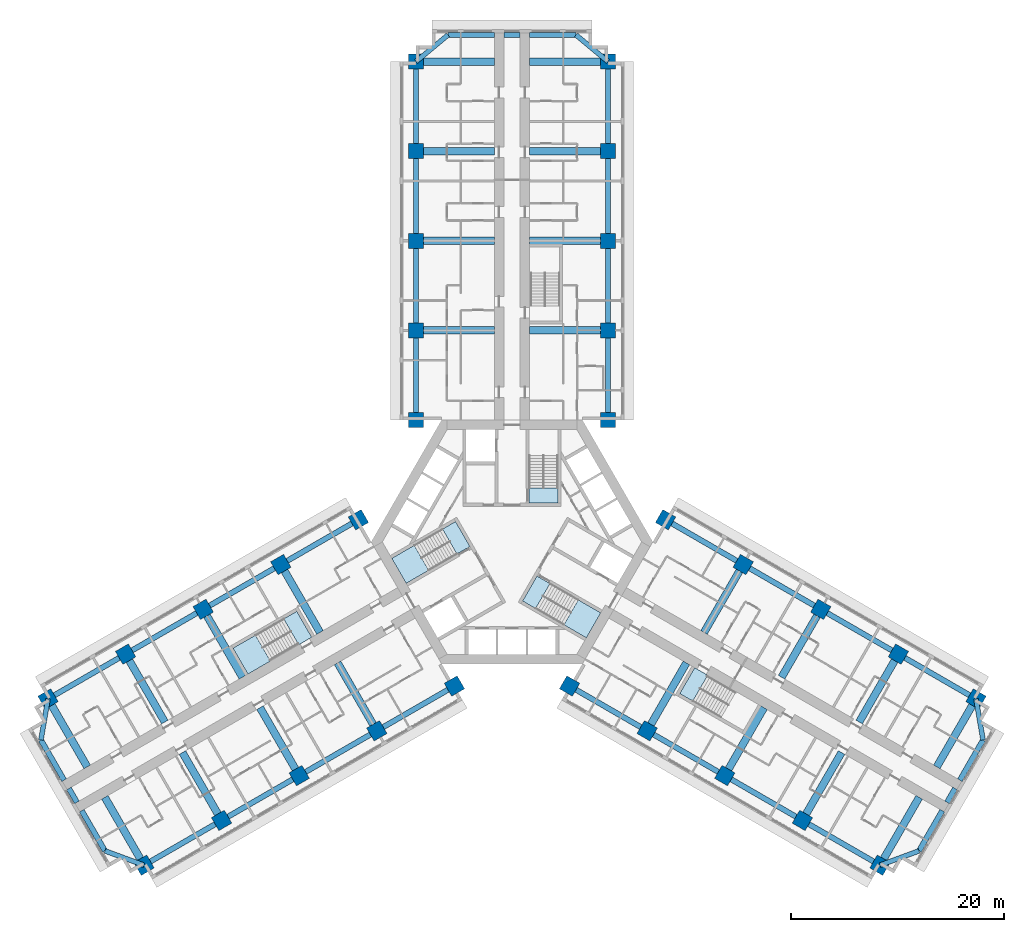
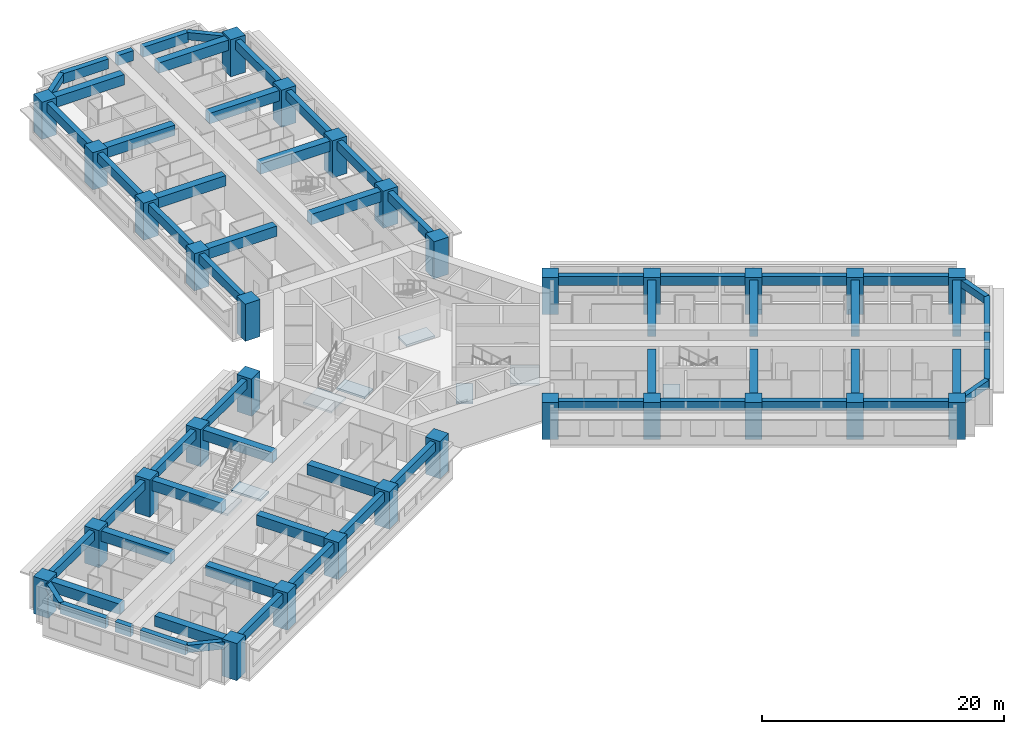
# One storey, part 1 of 16: 63 beams, 30 columns, 8 slabs, 5 elements without a shape of their own.
"""IFC4 building model written with IfcOpenShell, lengths in metres."""

from ifc_helpers import new_model, si_unit, direction, frame, origin, origin_2d, place, context, subcontext, project, spatial, polyline, rectangle, outline, extrude, material, layer, layer_set, material_profile, profile_set, type_object, element, aggregate, save


model = new_model("IFC4")

# Units and contexts
model_context = context("Model", 3, precision=1e-05, world=origin(), true_north=direction((0.0, 1.0)))
body_context = subcontext(model_context, "Body", "Model", "MODEL_VIEW")
ifc_project = project(units=[si_unit("LENGTHUNIT", "METRE"), si_unit("AREAUNIT", "SQUARE_METRE"), si_unit("VOLUMEUNIT", "CUBIC_METRE"), si_unit("PLANEANGLEUNIT", "RADIAN"), si_unit("MASSUNIT", "GRAM", prefix="KILO")], contexts=[model_context])

# Site, building, storey
site_placement = place(None, origin())
site = spatial("IfcSite", under=ifc_project, at=site_placement, CompositionType="ELEMENT")
building_placement = place(site_placement, origin())
building = spatial("IfcBuilding", under=site, at=building_placement, Name="Impinga Residences", CompositionType="ELEMENT")
storey_placement = place(building_placement, frame((0.0, 0.0, 56.0)))
storey = spatial("IfcBuildingStorey", under=building, at=storey_placement, Name="L13", CompositionType="ELEMENT", Elevation=56.0)

# Columns
ifc_material_1 = material(Name="Concrete C70/85", Category="concrete")
ifc_material_profile_1 = material_profile(ifc_material_1, rectangle(XDim=1.39990234375, YDim=1.39990234375, at=origin_2d()), Name="RC 1400x1400")
ifc_profile_set_1 = profile_set([ifc_material_profile_1], Name="Concrete C70/85")
column_type = type_object("IfcColumnType", Name="C2 1400x1400 column", PredefinedType="COLUMN", material=ifc_profile_set_1)
for number, where, z_axis, x_axis, name in (
    (1, (-9.0, 11.431640625, 0.0), (0.0, 0.0, 1.0), (1.0, 0.0, 0.0), "Column C2 N1/NA L13"),
    (2, (9.0, 11.431640625, 0.0), (0.0, 0.0, 1.0), (1.0, 0.0, 0.0), "Column C2 N1/NF L13"),
    (3, (-9.0, 19.83154296875, 0.0), (0.0, 0.0, 1.0), (1.0, 0.0, 0.0), "Column C2 N2/NA L13"),
    (4, (9.0, 19.83154296875, 0.0), (0.0, 0.0, 1.0), (1.0, 0.0, 0.0), "Column C2 N2/NF L13"),
    (5, (-9.0, 28.2314453125, 0.0), (0.0, 0.0, 1.0), (1.0, 0.0, 0.0), "Column C2 N3/NA L13"),
    (6, (9.0, 28.2314453125, 0.0), (0.0, 0.0, 1.0), (1.0, 0.0, 0.0), "Column C2 N3/NF L13"),
    (7, (-9.0, 36.631591796875, 0.0), (0.0, 0.0, 1.0), (1.0, 0.0, 0.0), "Column C2 N4/NA L13"),
    (8, (9.0, 36.631591796875, 0.0), (0.0, 0.0, 1.0), (1.0, 0.0, 0.0), "Column C2 N4/NF L13"),
    (9, (-9.0, 45.031494140625, 0.0), (0.0, 0.0, 1.0), (1.0, 0.0, 0.0), "Column C2 N5/NA L13"),
    (10, (9.0, 45.031494140625, 0.0), (0.0, 0.0, 1.0), (1.0, 0.0, 0.0), "Column C2 N5/NF L13"),
    (11, (-5.39990234375, -13.510009765625, 0.0), (0.0, 0.0, 1.0), (-0.5, 0.866025403784, 0.0), "Column C2 W1/WA L13"),
    (12, (-14.39990234375, 2.078369140625, 0.0), (0.0, 0.0, 1.0), (-0.5, 0.866025403784, 0.0), "Column C2 W1/WF L13"),
    (13, (-12.674560546875, -17.7099609375, 0.0), (0.0, 0.0, 1.0), (-0.5, 0.866025403784, 0.0), "Column C2 W2/WA L13"),
    (14, (-21.674560546875, -2.12158203125, 0.0), (0.0, 0.0, 1.0), (-0.5, 0.866025403784, 0.0), "Column C2 W2/WF L13"),
    (15, (-19.94921875, -21.909912109375, 0.0), (0.0, 0.0, 1.0), (-0.5, 0.866025403784, 0.0), "Column C2 W3/WA L13"),
    (16, (-28.94921875, -6.321533203125, 0.0), (0.0, 0.0, 1.0), (-0.5, 0.866025403784, 0.0), "Column C2 W3/WF L13"),
    (17, (-27.223876953125, -26.110107421875, 0.0), (0.0, 0.0, 1.0), (-0.5, 0.866025403784, 0.0), "Column C2 W4/WA L13"),
    (18, (-36.223876953125, -10.521484375, 0.0), (0.0, 0.0, 1.0), (-0.5, 0.866025403784, 0.0), "Column C2 W4/WF L13"),
    (19, (-34.49853515625, -30.31005859375, 0.0), (0.0, 0.0, 1.0), (-0.5, 0.866025403784, 0.0), "Column C2 W5/WA L13"),
    (20, (-43.49853515625, -14.721435546875, 0.0), (0.0, 0.0, 1.0), (-0.5, 0.866025403784, 0.0), "Column C2 W5/WF L13"),
    (21, (14.39990234375, 2.078369140625, 0.0), (0.0, 0.0, 1.0), (-0.5, -0.866025403784, 0.0), "Column C2 E1/EA L13"),
    (22, (5.39990234375, -13.510009765625, 0.0), (0.0, 0.0, 1.0), (-0.5, -0.866025403784, 0.0), "Column C2 E1/EF L13"),
    (23, (21.674560546875, -2.12158203125, 0.0), (0.0, 0.0, 1.0), (-0.5, -0.866025403784, 0.0), "Column C2 E2/EA L13"),
    (24, (12.674560546875, -17.7099609375, 0.0), (0.0, 0.0, 1.0), (-0.5, -0.866025403784, 0.0), "Column C2 E2/EF L13"),
    (25, (28.94921875, -6.321533203125, 0.0), (0.0, 0.0, 1.0), (-0.5, -0.866025403784, 0.0), "Column C2 E3/EA L13"),
    (26, (19.94921875, -21.909912109375, 0.0), (0.0, 0.0, 1.0), (-0.5, -0.866025403784, 0.0), "Column C2 E3/EF L13"),
    (27, (36.223876953125, -10.521484375, 0.0), (0.0, 0.0, 1.0), (-0.5, -0.866025403784, 0.0), "Column C2 E4/EA L13"),
    (28, (27.223876953125, -26.110107421875, 0.0), (0.0, 0.0, 1.0), (-0.5, -0.866025403784, 0.0), "Column C2 E4/EF L13"),
    (29, (43.49853515625, -14.721435546875, 0.0), (0.0, 0.0, 1.0), (-0.5, -0.866025403784, 0.0), "Column C2 E5/EA L13"),
    (30, (34.49853515625, -30.31005859375, 0.0), (0.0, 0.0, 1.0), (-0.5, -0.866025403784, 0.0), "Column C2 E5/EF L13"),
):
    element("IfcColumn", number, at=place(storey_placement, frame(where, z_axis=z_axis, x_axis=x_axis)), inside=storey, type_object=column_type, Name=name, PredefinedType="COLUMN", context=body_context, shape_type="SweptSolid", body=[
        extrude(rectangle(XDim=1.39990234375, YDim=1.39990234375, at=origin_2d()), origin(), (0.0, 0.0, 1.0), 3.75),
    ])

# Beams
ifc_material_2 = material(Name="Concrete C60/75", Category="concrete")
ifc_material_profile_2 = material_profile(ifc_material_2, rectangle(XDim=0.449951171875, YDim=0.75, at=origin_2d()), Name="RC 450x750")
ifc_profile_set_2 = profile_set([ifc_material_profile_2], Name="Concrete C60/75")
beam_type_1 = type_object("IfcBeamType", Name="CB1 450x750 wing end cantilever beam", PredefinedType="BEAM", material=ifc_profile_set_2)
for number, where, z_axis, x_axis, name in (
    (31, (-9.0, 45.031494140625, 3.155029296875), (0.768221279597, 0.640184399664, 0.0), (-0.640184399664, 0.768221279597, 0.0), "Beam CB1 NB N5-NX level L14"),
    (32, (9.0, 45.031494140625, 3.155029296875), (-0.768221279597, 0.640184399664, 0.0), (-0.640184399664, -0.768221279597, 0.0), "Beam CB1 NE N5-NX level L14"),
    (33, (-34.49853515625, -30.31005859375, 3.155029296875), (-0.938520178725, 0.345224382289, 0.0), (-0.345224382289, -0.938520178725, 0.0), "Beam CB1 WB W5-WX level L14"),
):
    element("IfcBeam", number, at=place(storey_placement, frame(where, z_axis=z_axis, x_axis=x_axis)), inside=storey, type_object=beam_type_1, Name=name, PredefinedType="BEAM", context=body_context, shape_type="SweptSolid", body=[
        extrude(rectangle(XDim=0.449951171875, YDim=0.75, at=origin_2d()), origin(), (0.0, 0.0, 1.0), 3.905029296875),
    ])
for number, where, z_axis, x_axis, name in (
    (34, (-43.49853515625, -14.721435546875, 3.155029296875), (-0.170296298948, -0.985392901621, 0.0), (0.985392901621, -0.170296298948, 0.0), "Beam CB1 WE W5-WX level L14"),
    (35, (43.49853515625, -14.721435546875, 3.155029296875), (0.170296298948, -0.985392901621, 0.0), (0.985392901621, 0.170296298948, 0.0), "Beam CB1 EB E5-EX level L14"),
):
    element("IfcBeam", number, at=place(storey_placement, frame(where, z_axis=z_axis, x_axis=x_axis)), inside=storey, type_object=beam_type_1, Name=name, PredefinedType="BEAM", context=body_context, shape_type="SweptSolid", body=[
        extrude(rectangle(XDim=0.449951171875, YDim=0.75, at=origin_2d()), origin(), (0.0, 0.0, 1.0), 3.9052734375),
    ])
beam_1_placement = place(storey_placement, frame((34.49853515625, -30.31005859375, 3.155029296875), z_axis=(0.938520178725, 0.345224382289, 0.0), x_axis=(-0.345224382289, 0.938520178725, 0.0)))
element("IfcBeam", 36, at=beam_1_placement, inside=storey, type_object=beam_type_1, Name="Beam CB1 EE E5-EX level L14", PredefinedType="BEAM", context=body_context, shape_type="SweptSolid", body=[
    extrude(rectangle(XDim=0.449951171875, YDim=0.75, at=origin_2d()), origin(), (0.0, 0.0, 1.0), 3.905029296875),
])
ifc_material_profile_3 = material_profile(ifc_material_2, rectangle(XDim=0.699951171875, YDim=1.050048828125, at=origin_2d()), Name="RC 700x1050")
ifc_profile_set_3 = profile_set([ifc_material_profile_3], Name="Concrete C60/75")
beam_type_2 = type_object("IfcBeamType", Name="CG1 700x1050 cross girder on a wing bay line", PredefinedType="BEAM", material=ifc_profile_set_3)
for number, where, z_axis, x_axis, name in (
    (37, (-1.64990234375, 19.83154296875, 3.0048828125), (-1.0, 0.0, 0.0), (0.0, -1.0, 0.0), "Beam CG1 N2 NC/NA level L14"),
    (38, (-1.64990234375, 28.2314453125, 3.0048828125), (-1.0, 0.0, 0.0), (0.0, -1.0, 0.0), "Beam CG1 N3 NC/NA level L14"),
    (39, (-1.64990234375, 36.631591796875, 3.0048828125), (-1.0, 0.0, 0.0), (0.0, -1.0, 0.0), "Beam CG1 N4 NC/NA level L14"),
    (40, (-1.64990234375, 45.031494140625, 3.0048828125), (-1.0, 0.0, 0.0), (0.0, -1.0, 0.0), "Beam CG1 N5 NC/NA level L14"),
    (41, (1.64990234375, 19.83154296875, 3.0048828125), (1.0, 0.0, 0.0), (0.0, 1.0, 0.0), "Beam CG1 N2 NC/NF level L14"),
    (42, (1.64990234375, 28.2314453125, 3.0048828125), (1.0, 0.0, 0.0), (0.0, 1.0, 0.0), "Beam CG1 N3 NC/NF level L14"),
    (43, (1.64990234375, 36.631591796875, 3.0048828125), (1.0, 0.0, 0.0), (0.0, 1.0, 0.0), "Beam CG1 N4 NC/NF level L14"),
    (44, (1.64990234375, 45.031494140625, 3.0048828125), (1.0, 0.0, 0.0), (0.0, 1.0, 0.0), "Beam CG1 N5 NC/NF level L14"),
    (45, (-16.349609375, -11.3447265625, 3.0048828125), (0.500008066151, -0.86602074674, 0.0), (0.86602074674, 0.500008066151, 0.0), "Beam CG1 W2 WC/WA level L14"),
    (46, (-23.624267578125, -15.544677734375, 3.0048828125), (0.500008066151, -0.86602074674, 0.0), (0.86602074674, 0.500008066151, 0.0), "Beam CG1 W3 WC/WA level L14"),
    (47, (-30.89892578125, -19.74462890625, 3.0048828125), (0.499993683172, -0.866029050776, 0.0), (0.866029050776, 0.499993683172, 0.0), "Beam CG1 W4 WC/WA level L14"),
):
    element("IfcBeam", number, at=place(storey_placement, frame(where, z_axis=z_axis, x_axis=x_axis)), inside=storey, type_object=beam_type_2, Name=name, PredefinedType="BEAM", context=body_context, shape_type="SweptSolid", body=[
        extrude(rectangle(XDim=0.699951171875, YDim=1.050048828125, at=origin_2d()), origin(), (0.0, 0.0, 1.0), 7.35009765625),
    ])
beam_2_placement = place(storey_placement, frame((-38.17333984375, -23.94482421875, 3.0048828125), z_axis=(0.499983153418, -0.866035129944, 0.0), x_axis=(0.866035129944, 0.499983153418, 0.0)))
element("IfcBeam", 48, at=beam_2_placement, inside=storey, type_object=beam_type_2, Name="Beam CG1 W5 WC/WA level L14", PredefinedType="BEAM", context=body_context, shape_type="SweptSolid", body=[
    extrude(rectangle(XDim=0.699951171875, YDim=1.050048828125, at=origin_2d()), origin(), (0.0, 0.0, 1.0), 7.349853515625),
])
for number, where, z_axis, x_axis, name in (
    (49, (-17.99951171875, -8.48681640625, 3.0048828125), (-0.500008066151, 0.86602074674, 0.0), (-0.86602074674, -0.500008066151, 0.0), "Beam CG1 W2 WC/WF level L14"),
    (50, (-25.274169921875, -12.686767578125, 3.0048828125), (-0.500008066151, 0.86602074674, 0.0), (-0.86602074674, -0.500008066151, 0.0), "Beam CG1 W3 WC/WF level L14"),
    (51, (-32.548828125, -16.88671875, 3.0048828125), (-0.500008066151, 0.86602074674, 0.0), (-0.86602074674, -0.500008066151, 0.0), "Beam CG1 W4 WC/WF level L14"),
    (52, (-39.823486328125, -21.0869140625, 3.0048828125), (-0.499993683172, 0.866029050776, 0.0), (-0.866029050776, -0.499993683172, 0.0), "Beam CG1 W5 WC/WF level L14"),
    (53, (17.99951171875, -8.48681640625, 3.0048828125), (0.500008066151, 0.86602074674, 0.0), (-0.86602074674, 0.500008066151, 0.0), "Beam CG1 E2 EC/EA level L14"),
    (54, (25.274169921875, -12.686767578125, 3.0048828125), (0.500008066151, 0.86602074674, 0.0), (-0.86602074674, 0.500008066151, 0.0), "Beam CG1 E3 EC/EA level L14"),
    (55, (32.548828125, -16.88671875, 3.0048828125), (0.500008066151, 0.86602074674, 0.0), (-0.86602074674, 0.500008066151, 0.0), "Beam CG1 E4 EC/EA level L14"),
    (56, (39.823486328125, -21.0869140625, 3.0048828125), (0.499993683172, 0.866029050776, 0.0), (-0.866029050776, 0.499993683172, 0.0), "Beam CG1 E5 EC/EA level L14"),
    (57, (16.349609375, -11.3447265625, 3.0048828125), (-0.500008066151, -0.86602074674, 0.0), (0.86602074674, -0.500008066151, 0.0), "Beam CG1 E2 EC/EF level L14"),
    (58, (23.624267578125, -15.544677734375, 3.0048828125), (-0.500008066151, -0.86602074674, 0.0), (0.86602074674, -0.500008066151, 0.0), "Beam CG1 E3 EC/EF level L14"),
    (59, (30.89892578125, -19.74462890625, 3.0048828125), (-0.499993683172, -0.866029050776, 0.0), (0.866029050776, -0.499993683172, 0.0), "Beam CG1 E4 EC/EF level L14"),
):
    element("IfcBeam", number, at=place(storey_placement, frame(where, z_axis=z_axis, x_axis=x_axis)), inside=storey, type_object=beam_type_2, Name=name, PredefinedType="BEAM", context=body_context, shape_type="SweptSolid", body=[
        extrude(rectangle(XDim=0.699951171875, YDim=1.050048828125, at=origin_2d()), origin(), (0.0, 0.0, 1.0), 7.35009765625),
    ])
beam_3_placement = place(storey_placement, frame((38.17333984375, -23.94482421875, 3.0048828125), z_axis=(-0.499983153418, -0.866035129944, 0.0), x_axis=(0.866035129944, -0.499983153418, 0.0)))
element("IfcBeam", 60, at=beam_3_placement, inside=storey, type_object=beam_type_2, Name="Beam CG1 E5 EC/EF level L14", PredefinedType="BEAM", context=body_context, shape_type="SweptSolid", body=[
    extrude(rectangle(XDim=0.699951171875, YDim=1.050048828125, at=origin_2d()), origin(), (0.0, 0.0, 1.0), 7.349853515625),
])
ifc_material_profile_4 = material_profile(ifc_material_2, rectangle(XDim=0.5, YDim=1.0, at=origin_2d()), Name="RC 500x1000")
ifc_profile_set_4 = profile_set([ifc_material_profile_4], Name="Concrete C60/75")
beam_type_3 = type_object("IfcBeamType", Name="EB1 500x1000 wing end beam", PredefinedType="BEAM", material=ifc_profile_set_4)
beam_4_placement = place(storey_placement, frame((-6.0, 47.531494140625, 3.030029296875), z_axis=(1.0, 0.0, 0.0), x_axis=(0.0, 1.0, 0.0)))
element("IfcBeam", 61, at=beam_4_placement, inside=storey, type_object=beam_type_3, Name="Beam EB1 NX4 level L14", PredefinedType="BEAM", context=body_context, shape_type="SweptSolid", body=[
    extrude(rectangle(XDim=0.5, YDim=1.0, at=origin_2d()), origin(), (0.0, 0.0, 1.0), 4.35009765625),
])
beam_5_placement = place(storey_placement, frame((-0.75, 47.531494140625, 3.030029296875), z_axis=(1.0, 0.0, 0.0), x_axis=(0.0, 1.0, 0.0)))
element("IfcBeam", 62, at=beam_5_placement, inside=storey, type_object=beam_type_3, Name="Beam EB1 NX4 level L14", PredefinedType="BEAM", context=body_context, shape_type="SweptSolid", body=[
    extrude(rectangle(XDim=0.5, YDim=1.0, at=origin_2d()), origin(), (0.0, 0.0, 1.0), 1.5),
])
beam_6_placement = place(storey_placement, frame((1.64990234375, 47.531494140625, 3.030029296875), z_axis=(1.0, 0.0, 0.0), x_axis=(0.0, 1.0, 0.0)))
element("IfcBeam", 63, at=beam_6_placement, inside=storey, type_object=beam_type_3, Name="Beam EB1 NX4 level L14", PredefinedType="BEAM", context=body_context, shape_type="SweptSolid", body=[
    extrude(rectangle(XDim=0.5, YDim=1.0, at=origin_2d()), origin(), (0.0, 0.0, 1.0), 4.35009765625),
])
beam_7_placement = place(storey_placement, frame((-38.16357421875, -28.9619140625, 3.030029296875), z_axis=(-0.500020430026, 0.866013608182, 0.0), x_axis=(-0.866013608182, -0.500020430026, 0.0)))
element("IfcBeam", 64, at=beam_7_placement, inside=storey, type_object=beam_type_3, Name="Beam EB1 WX4 level L14", PredefinedType="BEAM", context=body_context, shape_type="SweptSolid", body=[
    extrude(rectangle(XDim=0.5, YDim=1.0, at=origin_2d()), origin(), (0.0, 0.0, 1.0), 4.349853515625),
])
beam_8_placement = place(storey_placement, frame((-40.78857421875, -24.415283203125, 3.030029296875), z_axis=(-0.499990139034, 0.866031096941, 0.0), x_axis=(-0.866031096941, -0.499990139034, 0.0)))
element("IfcBeam", 65, at=beam_8_placement, inside=storey, type_object=beam_type_3, Name="Beam EB1 WX4 level L14", PredefinedType="BEAM", context=body_context, shape_type="SweptSolid", body=[
    extrude(rectangle(XDim=0.5, YDim=1.0, at=origin_2d()), origin(), (0.0, 0.0, 1.0), 1.5),
])
for number, where, z_axis, x_axis, name in (
    (66, (-41.988525390625, -22.3369140625, 3.030029296875), (-0.499996127374, 0.866027639635, 0.0), (-0.866027639635, -0.499996127374, 0.0), "Beam EB1 WX4 level L14"),
    (67, (44.16357421875, -18.569580078125, 3.030029296875), (-0.499996127374, -0.866027639635, 0.0), (0.866027639635, -0.499996127374, 0.0), "Beam EB1 EX4 level L14"),
):
    element("IfcBeam", number, at=place(storey_placement, frame(where, z_axis=z_axis, x_axis=x_axis)), inside=storey, type_object=beam_type_3, Name=name, PredefinedType="BEAM", context=body_context, shape_type="SweptSolid", body=[
        extrude(rectangle(XDim=0.5, YDim=1.0, at=origin_2d()), origin(), (0.0, 0.0, 1.0), 4.35009765625),
    ])
beam_9_placement = place(storey_placement, frame((41.53857421875, -23.1162109375, 3.030029296875), z_axis=(-0.499990139034, -0.866031096941, 0.0), x_axis=(0.866031096941, -0.499990139034, 0.0)))
element("IfcBeam", 68, at=beam_9_placement, inside=storey, type_object=beam_type_3, Name="Beam EB1 EX4 level L14", PredefinedType="BEAM", context=body_context, shape_type="SweptSolid", body=[
    extrude(rectangle(XDim=0.5, YDim=1.0, at=origin_2d()), origin(), (0.0, 0.0, 1.0), 1.5),
])
beam_10_placement = place(storey_placement, frame((40.338623046875, -25.19482421875, 3.030029296875), z_axis=(-0.500020430026, -0.866013608182, 0.0), x_axis=(0.866013608182, -0.500020430026, 0.0)))
element("IfcBeam", 69, at=beam_10_placement, inside=storey, type_object=beam_type_3, Name="Beam EB1 EX4 level L14", PredefinedType="BEAM", context=body_context, shape_type="SweptSolid", body=[
    extrude(rectangle(XDim=0.5, YDim=1.0, at=origin_2d()), origin(), (0.0, 0.0, 1.0), 4.349853515625),
])
ifc_material_profile_5 = material_profile(ifc_material_2, rectangle(XDim=0.5, YDim=0.89990234375, at=origin_2d()), Name="RC 500x900")
ifc_profile_set_5 = profile_set([ifc_material_profile_5], Name="Concrete C60/75")
beam_type_4 = type_object("IfcBeamType", Name="SB1 500x900 perimeter spandrel beam", PredefinedType="SPANDREL", material=ifc_profile_set_5)
for number, where, z_axis, x_axis, name in (
    (70, (-9.0, 11.431640625, 3.080078125), (0.0, 1.0, 0.0), (-1.0, 0.0, 0.0), "Beam SB1 NA N1-N2 level L14"),
    (71, (-9.0, 19.83154296875, 3.080078125), (0.0, 1.0, 0.0), (-1.0, 0.0, 0.0), "Beam SB1 NA N2-N3 level L14"),
):
    element("IfcBeam", number, at=place(storey_placement, frame(where, z_axis=z_axis, x_axis=x_axis)), inside=storey, type_object=beam_type_4, Name=name, PredefinedType="SPANDREL", context=body_context, shape_type="SweptSolid", body=[
        extrude(rectangle(XDim=0.5, YDim=0.89990234375, at=origin_2d()), origin(), (0.0, 0.0, 1.0), 8.39990234375),
    ])
beam_11_placement = place(storey_placement, frame((-9.0, 28.2314453125, 3.080078125), z_axis=(0.0, 1.0, 0.0), x_axis=(-1.0, 0.0, 0.0)))
element("IfcBeam", 72, at=beam_11_placement, inside=storey, type_object=beam_type_4, Name="Beam SB1 NA N3-N4 level L14", PredefinedType="SPANDREL", context=body_context, shape_type="SweptSolid", body=[
    extrude(rectangle(XDim=0.5, YDim=0.89990234375, at=origin_2d()), origin(), (0.0, 0.0, 1.0), 8.400146484375),
])
for number, where, z_axis, x_axis, name in (
    (73, (-9.0, 36.631591796875, 3.080078125), (0.0, 1.0, 0.0), (-1.0, 0.0, 0.0), "Beam SB1 NA N4-N5 level L14"),
    (74, (9.0, 11.431640625, 3.080078125), (0.0, 1.0, 0.0), (-1.0, 0.0, 0.0), "Beam SB1 NF N1-N2 level L14"),
    (75, (9.0, 19.83154296875, 3.080078125), (0.0, 1.0, 0.0), (-1.0, 0.0, 0.0), "Beam SB1 NF N2-N3 level L14"),
):
    element("IfcBeam", number, at=place(storey_placement, frame(where, z_axis=z_axis, x_axis=x_axis)), inside=storey, type_object=beam_type_4, Name=name, PredefinedType="SPANDREL", context=body_context, shape_type="SweptSolid", body=[
        extrude(rectangle(XDim=0.5, YDim=0.89990234375, at=origin_2d()), origin(), (0.0, 0.0, 1.0), 8.39990234375),
    ])
beam_12_placement = place(storey_placement, frame((9.0, 28.2314453125, 3.080078125), z_axis=(0.0, 1.0, 0.0), x_axis=(-1.0, 0.0, 0.0)))
element("IfcBeam", 76, at=beam_12_placement, inside=storey, type_object=beam_type_4, Name="Beam SB1 NF N3-N4 level L14", PredefinedType="SPANDREL", context=body_context, shape_type="SweptSolid", body=[
    extrude(rectangle(XDim=0.5, YDim=0.89990234375, at=origin_2d()), origin(), (0.0, 0.0, 1.0), 8.400146484375),
])
for number, where, z_axis, x_axis, name in (
    (77, (9.0, 36.631591796875, 3.080078125), (0.0, 1.0, 0.0), (-1.0, 0.0, 0.0), "Beam SB1 NF N4-N5 level L14"),
    (78, (-5.39990234375, -13.510009765625, 3.080078125), (-0.86602925447, -0.499993330357, 0.0), (0.499993330357, -0.86602925447, 0.0), "Beam SB1 WA W1-W2 level L14"),
    (79, (-12.674560546875, -17.7099609375, 3.080078125), (-0.86602925447, -0.499993330357, 0.0), (0.499993330357, -0.86602925447, 0.0), "Beam SB1 WA W2-W3 level L14"),
):
    element("IfcBeam", number, at=place(storey_placement, frame(where, z_axis=z_axis, x_axis=x_axis)), inside=storey, type_object=beam_type_4, Name=name, PredefinedType="SPANDREL", context=body_context, shape_type="SweptSolid", body=[
        extrude(rectangle(XDim=0.5, YDim=0.89990234375, at=origin_2d()), origin(), (0.0, 0.0, 1.0), 8.39990234375),
    ])
beam_13_placement = place(storey_placement, frame((-19.94921875, -21.909912109375, 3.080078125), z_axis=(-0.866016669275, -0.500015128309, 0.0), x_axis=(0.500015128309, -0.866016669275, 0.0)))
element("IfcBeam", 80, at=beam_13_placement, inside=storey, type_object=beam_type_4, Name="Beam SB1 WA W3-W4 level L14", PredefinedType="SPANDREL", context=body_context, shape_type="SweptSolid", body=[
    extrude(rectangle(XDim=0.5, YDim=0.89990234375, at=origin_2d()), origin(), (0.0, 0.0, 1.0), 8.400146484375),
])
for number, where, z_axis, x_axis, name in (
    (81, (-27.223876953125, -26.110107421875, 3.080078125), (-0.86602925447, -0.499993330357, 0.0), (0.499993330357, -0.86602925447, 0.0), "Beam SB1 WA W4-W5 level L14"),
    (82, (-14.39990234375, 2.078369140625, 3.080078125), (-0.86602925447, -0.499993330357, 0.0), (0.499993330357, -0.86602925447, 0.0), "Beam SB1 WF W1-W2 level L14"),
    (83, (-21.674560546875, -2.12158203125, 3.080078125), (-0.86602925447, -0.499993330357, 0.0), (0.499993330357, -0.86602925447, 0.0), "Beam SB1 WF W2-W3 level L14"),
    (84, (-28.94921875, -6.321533203125, 3.080078125), (-0.86602925447, -0.499993330357, 0.0), (0.499993330357, -0.86602925447, 0.0), "Beam SB1 WF W3-W4 level L14"),
    (85, (-36.223876953125, -10.521484375, 3.080078125), (-0.86602925447, -0.499993330357, 0.0), (0.499993330357, -0.86602925447, 0.0), "Beam SB1 WF W4-W5 level L14"),
    (86, (14.39990234375, 2.078369140625, 3.080078125), (0.86602925447, -0.499993330357, 0.0), (0.499993330357, 0.86602925447, 0.0), "Beam SB1 EA E1-E2 level L14"),
    (87, (21.674560546875, -2.12158203125, 3.080078125), (0.86602925447, -0.499993330357, 0.0), (0.499993330357, 0.86602925447, 0.0), "Beam SB1 EA E2-E3 level L14"),
    (88, (28.94921875, -6.321533203125, 3.080078125), (0.86602925447, -0.499993330357, 0.0), (0.499993330357, 0.86602925447, 0.0), "Beam SB1 EA E3-E4 level L14"),
    (89, (36.223876953125, -10.521484375, 3.080078125), (0.86602925447, -0.499993330357, 0.0), (0.499993330357, 0.86602925447, 0.0), "Beam SB1 EA E4-E5 level L14"),
    (90, (5.39990234375, -13.510009765625, 3.080078125), (0.86602925447, -0.499993330357, 0.0), (0.499993330357, 0.86602925447, 0.0), "Beam SB1 EF E1-E2 level L14"),
    (91, (12.674560546875, -17.7099609375, 3.080078125), (0.86602925447, -0.499993330357, 0.0), (0.499993330357, 0.86602925447, 0.0), "Beam SB1 EF E2-E3 level L14"),
):
    element("IfcBeam", number, at=place(storey_placement, frame(where, z_axis=z_axis, x_axis=x_axis)), inside=storey, type_object=beam_type_4, Name=name, PredefinedType="SPANDREL", context=body_context, shape_type="SweptSolid", body=[
        extrude(rectangle(XDim=0.5, YDim=0.89990234375, at=origin_2d()), origin(), (0.0, 0.0, 1.0), 8.39990234375),
    ])
beam_14_placement = place(storey_placement, frame((19.94921875, -21.909912109375, 3.080078125), z_axis=(0.866016669275, -0.500015128309, 0.0), x_axis=(0.500015128309, 0.866016669275, 0.0)))
element("IfcBeam", 92, at=beam_14_placement, inside=storey, type_object=beam_type_4, Name="Beam SB1 EF E3-E4 level L14", PredefinedType="SPANDREL", context=body_context, shape_type="SweptSolid", body=[
    extrude(rectangle(XDim=0.5, YDim=0.89990234375, at=origin_2d()), origin(), (0.0, 0.0, 1.0), 8.400146484375),
])
beam_15_placement = place(storey_placement, frame((27.223876953125, -26.110107421875, 3.080078125), z_axis=(0.86602925447, -0.499993330357, 0.0), x_axis=(0.499993330357, 0.86602925447, 0.0)))
element("IfcBeam", 93, at=beam_15_placement, inside=storey, type_object=beam_type_4, Name="Beam SB1 EF E4-E5 level L14", PredefinedType="SPANDREL", context=body_context, shape_type="SweptSolid", body=[
    extrude(rectangle(XDim=0.5, YDim=0.89990234375, at=origin_2d()), origin(), (0.0, 0.0, 1.0), 8.39990234375),
])

# Stair, slab
ifc_material_3 = material(Name="Concrete C40/50", Category="concrete")
stair_type_1 = type_object("IfcStairType", Name="STR core stair 3750 storey, 24 risers", PredefinedType="HALF_TURN_STAIR", material=ifc_material_3)
stair_1_placement = place(storey_placement, origin())
stair_1 = element("IfcStair", 94, at=stair_1_placement, inside=storey, type_object=stair_type_1, Name="Stair ST1 L13", PredefinedType="HALF_TURN_STAIR")
ifc_layer = layer(ifc_material_3, 0.199951171875)
ifc_layer_set = layer_set([ifc_layer], Name="Concrete C40/50")
slab_type = type_object("IfcSlabType", Name="LS1 stair landing 200", PredefinedType="LANDING", material=ifc_layer_set)
slab_1_placement = place(storey_placement, frame((0.0, 0.0, -0.199951171875)))
slab_1 = element("IfcSlab", 95, at=slab_1_placement, type_object=slab_type, Name="ST1 landing 1", PredefinedType="LANDING", context=body_context, shape_type="SweptSolid", body=[
    extrude(outline(polyline([(1.60009765625, 3.6298828125), (4.300048828125, 3.6298828125), (4.300048828125, 5.0400390625), (1.60009765625, 5.0400390625), (1.60009765625, 3.6298828125)])), origin(), (0.0, 0.0, 1.0), 0.199951171875),
])
aggregate(stair_1, [slab_1])

# Stair, slabs
stair_2_placement = place(storey_placement, origin())
stair_2 = element("IfcStair", 96, at=stair_2_placement, inside=storey, type_object=stair_type_1, Name="Stair ST2 L13", PredefinedType="HALF_TURN_STAIR")
slab_2_placement = place(storey_placement, frame((0.0, 0.0, -0.199951171875)))
slab_2 = element("IfcSlab", 97, at=slab_2_placement, type_object=slab_type, Name="ST2 landing 1", PredefinedType="LANDING", context=body_context, shape_type="SweptSolid", body=[
    extrude(outline(polyline([(-3.943603515625, -0.429443359375), (-5.293701171875, 1.908935546875), (-6.5146484375, 1.203857421875), (-5.164794921875, -1.13427734375), (-3.943603515625, -0.429443359375)])), origin(), (0.0, 0.0, 1.0), 0.199951171875),
])
slab_3_placement = place(storey_placement, frame((0.0, 0.0, 1.675048828125)))
slab_3 = element("IfcSlab", 98, at=slab_3_placement, type_object=slab_type, Name="ST2 landing 2", PredefinedType="LANDING", context=body_context, shape_type="SweptSolid", body=[
    extrude(outline(polyline([(-7.814697265625, -2.664306640625), (-9.164794921875, -0.326171875), (-11.2705078125, -1.541748046875), (-9.920654296875, -3.880126953125), (-7.814697265625, -2.664306640625)])), origin(), (0.0, 0.0, 1.0), 0.199951171875),
])
aggregate(stair_2, [slab_2, slab_3])

stair_3_placement = place(storey_placement, origin())
stair_3 = element("IfcStair", 99, at=stair_3_placement, inside=storey, type_object=stair_type_1, Name="Stair ST3 L13", PredefinedType="HALF_TURN_STAIR")
slab_4_placement = place(storey_placement, frame((0.0, 0.0, -0.199951171875)))
slab_4 = element("IfcSlab", 100, at=slab_4_placement, type_object=slab_type, Name="ST3 landing 1", PredefinedType="LANDING", context=body_context, shape_type="SweptSolid", body=[
    extrude(outline(polyline([(2.34375, -3.20068359375), (0.99365234375, -5.538818359375), (2.21484375, -6.243896484375), (3.564697265625, -3.90576171875), (2.34375, -3.20068359375)])), origin(), (0.0, 0.0, 1.0), 0.199951171875),
])
slab_5_placement = place(storey_placement, frame((0.0, 0.0, 1.675048828125)))
slab_5 = element("IfcSlab", 101, at=slab_5_placement, type_object=slab_type, Name="ST3 landing 2", PredefinedType="LANDING", context=body_context, shape_type="SweptSolid", body=[
    extrude(outline(polyline([(6.21484375, -5.435546875), (4.86474609375, -7.77392578125), (6.970458984375, -8.98974609375), (8.320556640625, -6.6513671875), (6.21484375, -5.435546875)])), origin(), (0.0, 0.0, 1.0), 0.199951171875),
])
aggregate(stair_3, [slab_4, slab_5])

stair_type_2 = type_object("IfcStairType", Name="STR wing stair 3750 storey, 24 risers", PredefinedType="HALF_TURN_STAIR", material=ifc_material_3)
stair_4_placement = place(storey_placement, origin())
stair_4 = element("IfcStair", 102, at=stair_4_placement, inside=storey, type_object=stair_type_2, Name="Stair WS2 L13", PredefinedType="HALF_TURN_STAIR")
slab_6_placement = place(storey_placement, frame((0.0, 0.0, -0.199951171875)))
slab_6 = element("IfcSlab", 103, at=slab_6_placement, type_object=slab_type, Name="WS2 landing 1", PredefinedType="LANDING", context=body_context, shape_type="SweptSolid", body=[
    extrude(outline(polyline([(-18.779052734375, -8.936767578125), (-20.178955078125, -6.511962890625), (-21.400146484375, -7.217041015625), (-20.000244140625, -9.641845703125), (-18.779052734375, -8.936767578125)])), origin(), (0.0, 0.0, 1.0), 0.199951171875),
])
slab_7_placement = place(storey_placement, frame((0.0, 0.0, 1.675048828125)))
slab_7 = element("IfcSlab", 104, at=slab_7_placement, type_object=slab_type, Name="WS2 landing 2", PredefinedType="LANDING", context=body_context, shape_type="SweptSolid", body=[
    extrude(outline(polyline([(-22.650146484375, -11.171875), (-24.050048828125, -8.7470703125), (-26.154541015625, -9.9619140625), (-24.754638671875, -12.38671875), (-22.650146484375, -11.171875)])), origin(), (0.0, 0.0, 1.0), 0.199951171875),
])
aggregate(stair_4, [slab_6, slab_7])

# Stair, slab
stair_5_placement = place(storey_placement, origin())
stair_5 = element("IfcStair", 105, at=stair_5_placement, inside=storey, type_object=stair_type_2, Name="Stair WS3 L13", PredefinedType="HALF_TURN_STAIR")
slab_8_placement = place(storey_placement, frame((0.0, 0.0, -0.199951171875)))
slab_8 = element("IfcSlab", 106, at=slab_8_placement, type_object=slab_type, Name="WS3 landing 1", PredefinedType="LANDING", context=body_context, shape_type="SweptSolid", body=[
    extrude(outline(polyline([(17.129150390625, -11.794677734375), (15.72900390625, -14.219482421875), (16.9501953125, -14.924560546875), (18.35009765625, -12.499755859375), (17.129150390625, -11.794677734375)])), origin(), (0.0, 0.0, 1.0), 0.199951171875),
])
aggregate(stair_5, [slab_8])

save(model, "model.ifc")
